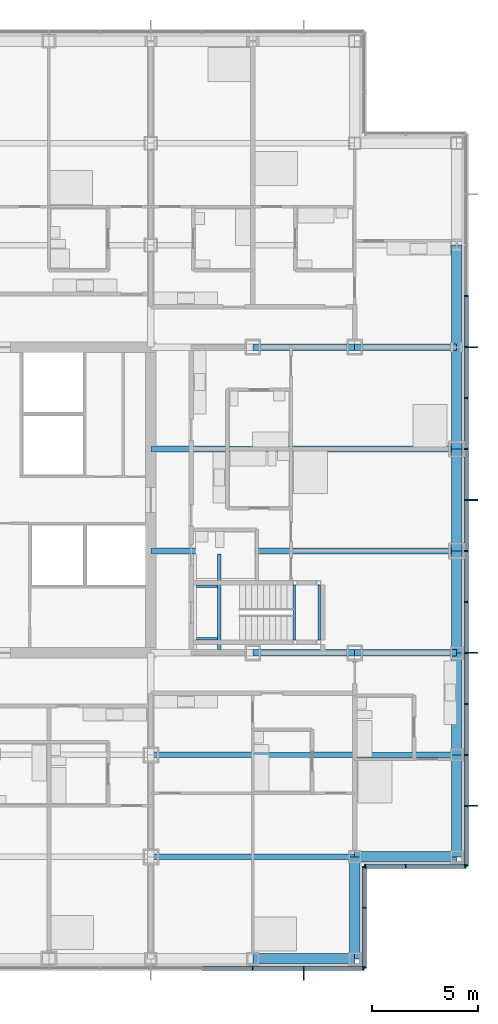
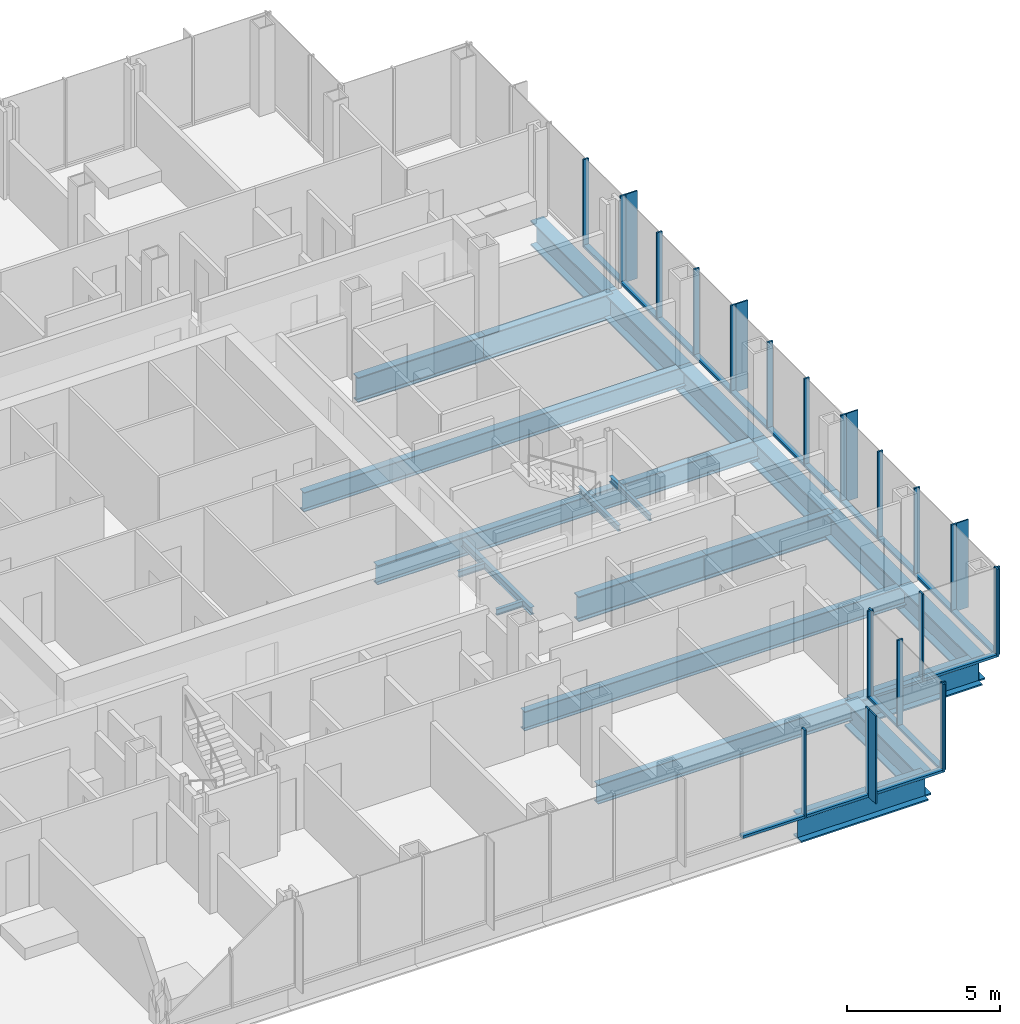
# One storey, part 9 of 21: 44 members, 22 beams, 4 elements without a shape of their own.
"""IFC4 building model written with IfcOpenShell, lengths in metres."""

from ifc_helpers import new_model, si_unit, direction, frame, origin, origin_2d, place, context, subcontext, project, spatial, rectangle, i_section, extrude, material, material_profile, profile_set, type_object, element, aggregate, save


model = new_model("IFC4")

# Units and contexts
model_context = context("Model", 3, precision=1e-05, world=origin(), true_north=direction((0.0, 1.0)))
body_context = subcontext(model_context, "Body", "Model", "MODEL_VIEW")
ifc_project = project(units=[si_unit("LENGTHUNIT", "METRE"), si_unit("AREAUNIT", "SQUARE_METRE"), si_unit("VOLUMEUNIT", "CUBIC_METRE"), si_unit("PLANEANGLEUNIT", "RADIAN"), si_unit("MASSUNIT", "GRAM", prefix="KILO")], contexts=[model_context])

# Site, building, storey
site_placement = place(None, origin())
site = spatial("IfcSite", under=ifc_project, at=site_placement, CompositionType="ELEMENT")
building_placement = place(site_placement, origin())
building = spatial("IfcBuilding", under=site, at=building_placement, Name="Kvirike Care Tower", CompositionType="ELEMENT")
storey_placement = place(building_placement, frame((0.0, 0.0, 37.5)))
storey = spatial("IfcBuildingStorey", under=building, at=storey_placement, Name="L09", CompositionType="ELEMENT", Elevation=37.5)

# Curtain wall, member
ifc_material_1 = material(Name="Anodised aluminium stick system", Category="aluminium")
curtain_wall_type = type_object("IfcCurtainWallType", Name="CW-A STICK CURTAIN WALL", PredefinedType="NOTDEFINED", material=ifc_material_1)
curtain_wall_1_placement = place(storey_placement, origin())
curtain_wall_1 = element("IfcCurtainWall", 1, at=curtain_wall_1_placement, inside=storey, type_object=curtain_wall_type, Name="Curtain wall L09 face 4", PredefinedType="NOTDEFINED")
ifc_material_2 = material(Name="Bronze anodised aluminium fin", Category="aluminium")
ifc_material_profile_1 = material_profile(ifc_material_2, rectangle(XDim=0.050048828125, YDim=0.449951171875, at=origin_2d()), Name="BRONZE FIN 450")
ifc_profile_set_1 = profile_set([ifc_material_profile_1], Name="Bronze anodised aluminium fin")
member_type_1 = type_object("IfcMemberType", Name="BRONZE FIN 450", PredefinedType="USERDEFINED", material=ifc_profile_set_1)
member_1_placement = place(storey_placement, frame((36.0, 13.625, 0.0), z_axis=(0.0, 0.0, 1.0), x_axis=(1.0, 0.0, 0.0)))
member_1 = element("IfcMember", 2, at=member_1_placement, type_object=member_type_1, Name="Bronze fin L09 face 4.14", ObjectType="FIN", PredefinedType="USERDEFINED", context=body_context, shape_type="SweptSolid", body=[
    extrude(rectangle(XDim=0.050048828125, YDim=0.449951171875, at=origin_2d()), origin(), (0.0, 0.0, 1.0), 3.5),
])

# Curtain wall, members
curtain_wall_2_placement = place(storey_placement, origin())
curtain_wall_2 = element("IfcCurtainWall", 3, at=curtain_wall_2_placement, inside=storey, type_object=curtain_wall_type, Name="Curtain wall L09 face 7", PredefinedType="NOTDEFINED")
member_2_placement = place(storey_placement, frame((43.97509765625, 21.60009765625, 0.0), z_axis=(0.0, 0.0, 1.0), x_axis=(0.0, 1.0, 0.0)))
member_2 = element("IfcMember", 4, at=member_2_placement, type_object=member_type_1, Name="Bronze fin L09 face 7.2", ObjectType="FIN", PredefinedType="USERDEFINED", context=body_context, shape_type="SweptSolid", body=[
    extrude(rectangle(XDim=0.050048828125, YDim=0.449951171875, at=origin_2d()), origin(), (0.0, 0.0, 1.0), 3.5),
])
member_3_placement = place(storey_placement, frame((43.97509765625, 28.800048828125, 0.0), z_axis=(0.0, 0.0, 1.0), x_axis=(0.0, 1.0, 0.0)))
member_3 = element("IfcMember", 5, at=member_3_placement, type_object=member_type_1, Name="Bronze fin L09 face 7.5", ObjectType="FIN", PredefinedType="USERDEFINED", context=body_context, shape_type="SweptSolid", body=[
    extrude(rectangle(XDim=0.050048828125, YDim=0.449951171875, at=origin_2d()), origin(), (0.0, 0.0, 1.0), 3.5),
])
member_4_placement = place(storey_placement, frame((43.97509765625, 36.0, 0.0), z_axis=(0.0, 0.0, 1.0), x_axis=(0.0, 1.0, 0.0)))
member_4 = element("IfcMember", 6, at=member_4_placement, type_object=member_type_1, Name="Bronze fin L09 face 7.8", ObjectType="FIN", PredefinedType="USERDEFINED", context=body_context, shape_type="SweptSolid", body=[
    extrude(rectangle(XDim=0.050048828125, YDim=0.449951171875, at=origin_2d()), origin(), (0.0, 0.0, 1.0), 3.5),
])
member_5_placement = place(storey_placement, frame((43.97509765625, 43.199951171875, 0.0), z_axis=(0.0, 0.0, 1.0), x_axis=(0.0, 1.0, 0.0)))
member_5 = element("IfcMember", 7, at=member_5_placement, type_object=member_type_1, Name="Bronze fin L09 face 7.11", ObjectType="FIN", PredefinedType="USERDEFINED", context=body_context, shape_type="SweptSolid", body=[
    extrude(rectangle(XDim=0.050048828125, YDim=0.449951171875, at=origin_2d()), origin(), (0.0, 0.0, 1.0), 3.5),
])

# Member
ifc_material_3 = material(Name="Bronze anodised aluminium mullion", Category="aluminium")
ifc_material_profile_2 = material_profile(ifc_material_3, rectangle(XDim=0.06494140625, YDim=0.199951171875, at=origin_2d()), Name="CW-A MULLION 65x200")
ifc_profile_set_2 = profile_set([ifc_material_profile_2], Name="Bronze anodised aluminium mullion")
member_type_2 = type_object("IfcMemberType", Name="CW-A MULLION 65x200", PredefinedType="MULLION", material=ifc_profile_set_2)
member_6_placement = place(storey_placement, frame((33.60009765625, 13.949951171875, 0.0), z_axis=(0.0, 0.0, 1.0), x_axis=(1.0, 0.0, 0.0)))
member_6 = element("IfcMember", 8, at=member_6_placement, type_object=member_type_2, Name="CW-A mullion L09 face 4.13", PredefinedType="MULLION", context=body_context, shape_type="SweptSolid", body=[
    extrude(rectangle(XDim=0.06494140625, YDim=0.199951171875, at=origin_2d()), origin(), (0.0, 0.0, 1.0), 3.5),
])

member_7_placement = place(storey_placement, frame((36.0, 13.949951171875, 0.0), z_axis=(0.0, 0.0, 1.0), x_axis=(1.0, 0.0, 0.0)))
member_7 = element("IfcMember", 9, at=member_7_placement, type_object=member_type_2, Name="CW-A mullion L09 face 4.14", PredefinedType="MULLION", context=body_context, shape_type="SweptSolid", body=[
    extrude(rectangle(XDim=0.06494140625, YDim=0.199951171875, at=origin_2d()), origin(), (0.0, 0.0, 1.0), 3.5),
])

member_8_placement = place(storey_placement, frame((38.8173828125, 13.949951171875, 0.0), z_axis=(0.0, 0.0, 1.0), x_axis=(1.0, 0.0, 0.0)))
member_8 = element("IfcMember", 10, at=member_8_placement, type_object=member_type_2, Name="CW-A mullion L09 face 4.15", PredefinedType="MULLION", context=body_context, shape_type="SweptSolid", body=[
    extrude(rectangle(XDim=0.06494140625, YDim=0.199951171875, at=origin_2d()), origin(), (0.0, 0.0, 1.0), 3.5),
])

# Curtain wall, members
curtain_wall_3_placement = place(storey_placement, origin())
curtain_wall_3 = element("IfcCurtainWall", 11, at=curtain_wall_3_placement, inside=storey, type_object=curtain_wall_type, Name="Curtain wall L09 face 5", PredefinedType="NOTDEFINED")
member_9_placement = place(storey_placement, frame((38.85009765625, 13.982421875, 0.0), z_axis=(0.0, 0.0, 1.0), x_axis=(0.0, 1.0, 0.0)))
member_9 = element("IfcMember", 12, at=member_9_placement, type_object=member_type_2, Name="CW-A mullion L09 face 5.1", PredefinedType="MULLION", context=body_context, shape_type="SweptSolid", body=[
    extrude(rectangle(XDim=0.06494140625, YDim=0.199951171875, at=origin_2d()), origin(), (0.0, 0.0, 1.0), 3.5),
])
member_10_placement = place(storey_placement, frame((38.85009765625, 16.800048828125, 0.0), z_axis=(0.0, 0.0, 1.0), x_axis=(0.0, 1.0, 0.0)))
member_10 = element("IfcMember", 13, at=member_10_placement, type_object=member_type_2, Name="CW-A mullion L09 face 5.2", PredefinedType="MULLION", context=body_context, shape_type="SweptSolid", body=[
    extrude(rectangle(XDim=0.06494140625, YDim=0.199951171875, at=origin_2d()), origin(), (0.0, 0.0, 1.0), 3.5),
])
member_11_placement = place(storey_placement, frame((38.85009765625, 18.717529296875, 0.0), z_axis=(0.0, 0.0, 1.0), x_axis=(0.0, 1.0, 0.0)))
member_11 = element("IfcMember", 14, at=member_11_placement, type_object=member_type_2, Name="CW-A mullion L09 face 5.3", PredefinedType="MULLION", context=body_context, shape_type="SweptSolid", body=[
    extrude(rectangle(XDim=0.06494140625, YDim=0.199951171875, at=origin_2d()), origin(), (0.0, 0.0, 1.0), 3.5),
])

curtain_wall_4_placement = place(storey_placement, origin())
curtain_wall_4 = element("IfcCurtainWall", 15, at=curtain_wall_4_placement, inside=storey, type_object=curtain_wall_type, Name="Curtain wall L09 face 6", PredefinedType="NOTDEFINED")
member_12_placement = place(storey_placement, frame((38.882568359375, 18.75, 0.0), z_axis=(0.0, 0.0, 1.0), x_axis=(1.0, 0.0, 0.0)))
member_12 = element("IfcMember", 16, at=member_12_placement, type_object=member_type_2, Name="CW-A mullion L09 face 6.1", PredefinedType="MULLION", context=body_context, shape_type="SweptSolid", body=[
    extrude(rectangle(XDim=0.06494140625, YDim=0.199951171875, at=origin_2d()), origin(), (0.0, 0.0, 1.0), 3.5),
])
member_13_placement = place(storey_placement, frame((40.800048828125, 18.75, 0.0), z_axis=(0.0, 0.0, 1.0), x_axis=(1.0, 0.0, 0.0)))
member_13 = element("IfcMember", 17, at=member_13_placement, type_object=member_type_2, Name="CW-A mullion L09 face 6.2", PredefinedType="MULLION", context=body_context, shape_type="SweptSolid", body=[
    extrude(rectangle(XDim=0.06494140625, YDim=0.199951171875, at=origin_2d()), origin(), (0.0, 0.0, 1.0), 3.5),
])
member_14_placement = place(storey_placement, frame((43.617431640625, 18.75, 0.0), z_axis=(0.0, 0.0, 1.0), x_axis=(1.0, 0.0, 0.0)))
member_14 = element("IfcMember", 18, at=member_14_placement, type_object=member_type_2, Name="CW-A mullion L09 face 6.3", PredefinedType="MULLION", context=body_context, shape_type="SweptSolid", body=[
    extrude(rectangle(XDim=0.06494140625, YDim=0.199951171875, at=origin_2d()), origin(), (0.0, 0.0, 1.0), 3.5),
])

# Member
member_15_placement = place(storey_placement, frame((43.64990234375, 18.782470703125, 0.0), z_axis=(0.0, 0.0, 1.0), x_axis=(0.0, 1.0, 0.0)))
member_15 = element("IfcMember", 19, at=member_15_placement, type_object=member_type_2, Name="CW-A mullion L09 face 7.1", PredefinedType="MULLION", context=body_context, shape_type="SweptSolid", body=[
    extrude(rectangle(XDim=0.06494140625, YDim=0.199951171875, at=origin_2d()), origin(), (0.0, 0.0, 1.0), 3.5),
])

member_16_placement = place(storey_placement, frame((43.64990234375, 21.60009765625, 0.0), z_axis=(0.0, 0.0, 1.0), x_axis=(0.0, 1.0, 0.0)))
member_16 = element("IfcMember", 20, at=member_16_placement, type_object=member_type_2, Name="CW-A mullion L09 face 7.2", PredefinedType="MULLION", context=body_context, shape_type="SweptSolid", body=[
    extrude(rectangle(XDim=0.06494140625, YDim=0.199951171875, at=origin_2d()), origin(), (0.0, 0.0, 1.0), 3.5),
])

member_17_placement = place(storey_placement, frame((43.64990234375, 24.0, 0.0), z_axis=(0.0, 0.0, 1.0), x_axis=(0.0, 1.0, 0.0)))
member_17 = element("IfcMember", 21, at=member_17_placement, type_object=member_type_2, Name="CW-A mullion L09 face 7.3", PredefinedType="MULLION", context=body_context, shape_type="SweptSolid", body=[
    extrude(rectangle(XDim=0.06494140625, YDim=0.199951171875, at=origin_2d()), origin(), (0.0, 0.0, 1.0), 3.5),
])

member_18_placement = place(storey_placement, frame((43.64990234375, 26.39990234375, 0.0), z_axis=(0.0, 0.0, 1.0), x_axis=(0.0, 1.0, 0.0)))
member_18 = element("IfcMember", 22, at=member_18_placement, type_object=member_type_2, Name="CW-A mullion L09 face 7.4", PredefinedType="MULLION", context=body_context, shape_type="SweptSolid", body=[
    extrude(rectangle(XDim=0.06494140625, YDim=0.199951171875, at=origin_2d()), origin(), (0.0, 0.0, 1.0), 3.5),
])

member_19_placement = place(storey_placement, frame((43.64990234375, 28.800048828125, 0.0), z_axis=(0.0, 0.0, 1.0), x_axis=(0.0, 1.0, 0.0)))
member_19 = element("IfcMember", 23, at=member_19_placement, type_object=member_type_2, Name="CW-A mullion L09 face 7.5", PredefinedType="MULLION", context=body_context, shape_type="SweptSolid", body=[
    extrude(rectangle(XDim=0.06494140625, YDim=0.199951171875, at=origin_2d()), origin(), (0.0, 0.0, 1.0), 3.5),
])

member_20_placement = place(storey_placement, frame((43.64990234375, 31.199951171875, 0.0), z_axis=(0.0, 0.0, 1.0), x_axis=(0.0, 1.0, 0.0)))
member_20 = element("IfcMember", 24, at=member_20_placement, type_object=member_type_2, Name="CW-A mullion L09 face 7.6", PredefinedType="MULLION", context=body_context, shape_type="SweptSolid", body=[
    extrude(rectangle(XDim=0.06494140625, YDim=0.199951171875, at=origin_2d()), origin(), (0.0, 0.0, 1.0), 3.5),
])

member_21_placement = place(storey_placement, frame((43.64990234375, 33.60009765625, 0.0), z_axis=(0.0, 0.0, 1.0), x_axis=(0.0, 1.0, 0.0)))
member_21 = element("IfcMember", 25, at=member_21_placement, type_object=member_type_2, Name="CW-A mullion L09 face 7.7", PredefinedType="MULLION", context=body_context, shape_type="SweptSolid", body=[
    extrude(rectangle(XDim=0.06494140625, YDim=0.199951171875, at=origin_2d()), origin(), (0.0, 0.0, 1.0), 3.5),
])

member_22_placement = place(storey_placement, frame((43.64990234375, 36.0, 0.0), z_axis=(0.0, 0.0, 1.0), x_axis=(0.0, 1.0, 0.0)))
member_22 = element("IfcMember", 26, at=member_22_placement, type_object=member_type_2, Name="CW-A mullion L09 face 7.8", PredefinedType="MULLION", context=body_context, shape_type="SweptSolid", body=[
    extrude(rectangle(XDim=0.06494140625, YDim=0.199951171875, at=origin_2d()), origin(), (0.0, 0.0, 1.0), 3.5),
])

member_23_placement = place(storey_placement, frame((43.64990234375, 38.39990234375, 0.0), z_axis=(0.0, 0.0, 1.0), x_axis=(0.0, 1.0, 0.0)))
member_23 = element("IfcMember", 27, at=member_23_placement, type_object=member_type_2, Name="CW-A mullion L09 face 7.9", PredefinedType="MULLION", context=body_context, shape_type="SweptSolid", body=[
    extrude(rectangle(XDim=0.06494140625, YDim=0.199951171875, at=origin_2d()), origin(), (0.0, 0.0, 1.0), 3.5),
])

member_24_placement = place(storey_placement, frame((43.64990234375, 40.800048828125, 0.0), z_axis=(0.0, 0.0, 1.0), x_axis=(0.0, 1.0, 0.0)))
member_24 = element("IfcMember", 28, at=member_24_placement, type_object=member_type_2, Name="CW-A mullion L09 face 7.10", PredefinedType="MULLION", context=body_context, shape_type="SweptSolid", body=[
    extrude(rectangle(XDim=0.06494140625, YDim=0.199951171875, at=origin_2d()), origin(), (0.0, 0.0, 1.0), 3.5),
])

member_25_placement = place(storey_placement, frame((43.64990234375, 43.199951171875, 0.0), z_axis=(0.0, 0.0, 1.0), x_axis=(0.0, 1.0, 0.0)))
member_25 = element("IfcMember", 29, at=member_25_placement, type_object=member_type_2, Name="CW-A mullion L09 face 7.11", PredefinedType="MULLION", context=body_context, shape_type="SweptSolid", body=[
    extrude(rectangle(XDim=0.06494140625, YDim=0.199951171875, at=origin_2d()), origin(), (0.0, 0.0, 1.0), 3.5),
])

member_26_placement = place(storey_placement, frame((43.64990234375, 45.60009765625, 0.0), z_axis=(0.0, 0.0, 1.0), x_axis=(0.0, 1.0, 0.0)))
member_26 = element("IfcMember", 30, at=member_26_placement, type_object=member_type_2, Name="CW-A mullion L09 face 7.12", PredefinedType="MULLION", context=body_context, shape_type="SweptSolid", body=[
    extrude(rectangle(XDim=0.06494140625, YDim=0.199951171875, at=origin_2d()), origin(), (0.0, 0.0, 1.0), 3.5),
])

ifc_material_4 = material(Name="Bronze anodised aluminium transom", Category="aluminium")
ifc_material_profile_3 = material_profile(ifc_material_4, rectangle(XDim=0.199951171875, YDim=0.10009765625, at=origin_2d()), Name="CW-A TRANSOM 200x100")
ifc_profile_set_3 = profile_set([ifc_material_profile_3], Name="Bronze anodised aluminium transom")
member_type_3 = type_object("IfcMemberType", Name="CW-A TRANSOM 200x100", PredefinedType="USERDEFINED", material=ifc_profile_set_3)
member_27_placement = place(storey_placement, frame((31.232421875, 13.949951171875, 0.050048828125), z_axis=(1.0, 0.0, 0.0), x_axis=(0.0, 1.0, 0.0)))
member_27 = element("IfcMember", 31, at=member_27_placement, type_object=member_type_3, Name="CW-A sill transom L09 face 4.12", ObjectType="TRANSOM", PredefinedType="USERDEFINED", context=body_context, shape_type="SweptSolid", body=[
    extrude(rectangle(XDim=0.199951171875, YDim=0.10009765625, at=origin_2d()), origin(), (0.0, 0.0, 1.0), 2.3349609375),
])

member_28_placement = place(storey_placement, frame((33.632568359375, 13.949951171875, 0.050048828125), z_axis=(1.0, 0.0, 0.0), x_axis=(0.0, 1.0, 0.0)))
member_28 = element("IfcMember", 32, at=member_28_placement, type_object=member_type_3, Name="CW-A sill transom L09 face 4.13", ObjectType="TRANSOM", PredefinedType="USERDEFINED", context=body_context, shape_type="SweptSolid", body=[
    extrude(rectangle(XDim=0.199951171875, YDim=0.10009765625, at=origin_2d()), origin(), (0.0, 0.0, 1.0), 2.3349609375),
])

member_29_placement = place(storey_placement, frame((36.032470703125, 13.949951171875, 0.050048828125), z_axis=(1.0, 0.0, 0.0), x_axis=(0.0, 1.0, 0.0)))
member_29 = element("IfcMember", 33, at=member_29_placement, type_object=member_type_3, Name="CW-A sill transom L09 face 4.14", ObjectType="TRANSOM", PredefinedType="USERDEFINED", context=body_context, shape_type="SweptSolid", body=[
    extrude(rectangle(XDim=0.199951171875, YDim=0.10009765625, at=origin_2d()), origin(), (0.0, 0.0, 1.0), 2.75244140625),
])

aggregate(curtain_wall_1, [member_6, member_7, member_1, member_8, member_27, member_28, member_29])

member_30_placement = place(storey_placement, frame((38.85009765625, 14.014892578125, 0.050048828125), z_axis=(0.0, 1.0, 0.0), x_axis=(-1.0, 0.0, 0.0)))
member_30 = element("IfcMember", 34, at=member_30_placement, type_object=member_type_3, Name="CW-A sill transom L09 face 5.1", ObjectType="TRANSOM", PredefinedType="USERDEFINED", context=body_context, shape_type="SweptSolid", body=[
    extrude(rectangle(XDim=0.199951171875, YDim=0.10009765625, at=origin_2d()), origin(), (0.0, 0.0, 1.0), 2.752685546875),
])

member_31_placement = place(storey_placement, frame((38.85009765625, 16.83251953125, 0.050048828125), z_axis=(0.0, 1.0, 0.0), x_axis=(-1.0, 0.0, 0.0)))
member_31 = element("IfcMember", 35, at=member_31_placement, type_object=member_type_3, Name="CW-A sill transom L09 face 5.2", ObjectType="TRANSOM", PredefinedType="USERDEFINED", context=body_context, shape_type="SweptSolid", body=[
    extrude(rectangle(XDim=0.199951171875, YDim=0.10009765625, at=origin_2d()), origin(), (0.0, 0.0, 1.0), 1.8525390625),
])

aggregate(curtain_wall_3, [member_9, member_10, member_11, member_30, member_31])

member_32_placement = place(storey_placement, frame((38.9150390625, 18.75, 0.050048828125), z_axis=(1.0, 0.0, 0.0), x_axis=(0.0, 1.0, 0.0)))
member_32 = element("IfcMember", 36, at=member_32_placement, type_object=member_type_3, Name="CW-A sill transom L09 face 6.1", ObjectType="TRANSOM", PredefinedType="USERDEFINED", context=body_context, shape_type="SweptSolid", body=[
    extrude(rectangle(XDim=0.199951171875, YDim=0.10009765625, at=origin_2d()), origin(), (0.0, 0.0, 1.0), 1.8525390625),
])

member_33_placement = place(storey_placement, frame((40.83251953125, 18.75, 0.050048828125), z_axis=(1.0, 0.0, 0.0), x_axis=(0.0, 1.0, 0.0)))
member_33 = element("IfcMember", 37, at=member_33_placement, type_object=member_type_3, Name="CW-A sill transom L09 face 6.2", ObjectType="TRANSOM", PredefinedType="USERDEFINED", context=body_context, shape_type="SweptSolid", body=[
    extrude(rectangle(XDim=0.199951171875, YDim=0.10009765625, at=origin_2d()), origin(), (0.0, 0.0, 1.0), 2.75244140625),
])

aggregate(curtain_wall_4, [member_12, member_13, member_14, member_32, member_33])

member_34_placement = place(storey_placement, frame((43.64990234375, 18.81494140625, 0.050048828125), z_axis=(0.0, 1.0, 0.0), x_axis=(-1.0, 0.0, 0.0)))
member_34 = element("IfcMember", 38, at=member_34_placement, type_object=member_type_3, Name="CW-A sill transom L09 face 7.1", ObjectType="TRANSOM", PredefinedType="USERDEFINED", context=body_context, shape_type="SweptSolid", body=[
    extrude(rectangle(XDim=0.199951171875, YDim=0.10009765625, at=origin_2d()), origin(), (0.0, 0.0, 1.0), 2.75244140625),
])

member_35_placement = place(storey_placement, frame((43.64990234375, 21.632568359375, 0.050048828125), z_axis=(0.0, 1.0, 0.0), x_axis=(-1.0, 0.0, 0.0)))
member_35 = element("IfcMember", 39, at=member_35_placement, type_object=member_type_3, Name="CW-A sill transom L09 face 7.2", ObjectType="TRANSOM", PredefinedType="USERDEFINED", context=body_context, shape_type="SweptSolid", body=[
    extrude(rectangle(XDim=0.199951171875, YDim=0.10009765625, at=origin_2d()), origin(), (0.0, 0.0, 1.0), 2.3349609375),
])

member_36_placement = place(storey_placement, frame((43.64990234375, 24.032470703125, 0.050048828125), z_axis=(0.0, 1.0, 0.0), x_axis=(-1.0, 0.0, 0.0)))
member_36 = element("IfcMember", 40, at=member_36_placement, type_object=member_type_3, Name="CW-A sill transom L09 face 7.3", ObjectType="TRANSOM", PredefinedType="USERDEFINED", context=body_context, shape_type="SweptSolid", body=[
    extrude(rectangle(XDim=0.199951171875, YDim=0.10009765625, at=origin_2d()), origin(), (0.0, 0.0, 1.0), 2.3349609375),
])

member_37_placement = place(storey_placement, frame((43.64990234375, 26.4326171875, 0.050048828125), z_axis=(0.0, 1.0, 0.0), x_axis=(-1.0, 0.0, 0.0)))
member_37 = element("IfcMember", 41, at=member_37_placement, type_object=member_type_3, Name="CW-A sill transom L09 face 7.4", ObjectType="TRANSOM", PredefinedType="USERDEFINED", context=body_context, shape_type="SweptSolid", body=[
    extrude(rectangle(XDim=0.199951171875, YDim=0.10009765625, at=origin_2d()), origin(), (0.0, 0.0, 1.0), 2.3349609375),
])

member_38_placement = place(storey_placement, frame((43.64990234375, 28.83251953125, 0.050048828125), z_axis=(0.0, 1.0, 0.0), x_axis=(-1.0, 0.0, 0.0)))
member_38 = element("IfcMember", 42, at=member_38_placement, type_object=member_type_3, Name="CW-A sill transom L09 face 7.5", ObjectType="TRANSOM", PredefinedType="USERDEFINED", context=body_context, shape_type="SweptSolid", body=[
    extrude(rectangle(XDim=0.199951171875, YDim=0.10009765625, at=origin_2d()), origin(), (0.0, 0.0, 1.0), 2.3349609375),
])

member_39_placement = place(storey_placement, frame((43.64990234375, 31.232421875, 0.050048828125), z_axis=(0.0, 1.0, 0.0), x_axis=(-1.0, 0.0, 0.0)))
member_39 = element("IfcMember", 43, at=member_39_placement, type_object=member_type_3, Name="CW-A sill transom L09 face 7.6", ObjectType="TRANSOM", PredefinedType="USERDEFINED", context=body_context, shape_type="SweptSolid", body=[
    extrude(rectangle(XDim=0.199951171875, YDim=0.10009765625, at=origin_2d()), origin(), (0.0, 0.0, 1.0), 2.3349609375),
])

member_40_placement = place(storey_placement, frame((43.64990234375, 33.632568359375, 0.050048828125), z_axis=(0.0, 1.0, 0.0), x_axis=(-1.0, 0.0, 0.0)))
member_40 = element("IfcMember", 44, at=member_40_placement, type_object=member_type_3, Name="CW-A sill transom L09 face 7.7", ObjectType="TRANSOM", PredefinedType="USERDEFINED", context=body_context, shape_type="SweptSolid", body=[
    extrude(rectangle(XDim=0.199951171875, YDim=0.10009765625, at=origin_2d()), origin(), (0.0, 0.0, 1.0), 2.3349609375),
])

member_41_placement = place(storey_placement, frame((43.64990234375, 36.032470703125, 0.050048828125), z_axis=(0.0, 1.0, 0.0), x_axis=(-1.0, 0.0, 0.0)))
member_41 = element("IfcMember", 45, at=member_41_placement, type_object=member_type_3, Name="CW-A sill transom L09 face 7.8", ObjectType="TRANSOM", PredefinedType="USERDEFINED", context=body_context, shape_type="SweptSolid", body=[
    extrude(rectangle(XDim=0.199951171875, YDim=0.10009765625, at=origin_2d()), origin(), (0.0, 0.0, 1.0), 2.3349609375),
])

member_42_placement = place(storey_placement, frame((43.64990234375, 38.4326171875, 0.050048828125), z_axis=(0.0, 1.0, 0.0), x_axis=(-1.0, 0.0, 0.0)))
member_42 = element("IfcMember", 46, at=member_42_placement, type_object=member_type_3, Name="CW-A sill transom L09 face 7.9", ObjectType="TRANSOM", PredefinedType="USERDEFINED", context=body_context, shape_type="SweptSolid", body=[
    extrude(rectangle(XDim=0.199951171875, YDim=0.10009765625, at=origin_2d()), origin(), (0.0, 0.0, 1.0), 2.3349609375),
])

member_43_placement = place(storey_placement, frame((43.64990234375, 40.83251953125, 0.050048828125), z_axis=(0.0, 1.0, 0.0), x_axis=(-1.0, 0.0, 0.0)))
member_43 = element("IfcMember", 47, at=member_43_placement, type_object=member_type_3, Name="CW-A sill transom L09 face 7.10", ObjectType="TRANSOM", PredefinedType="USERDEFINED", context=body_context, shape_type="SweptSolid", body=[
    extrude(rectangle(XDim=0.199951171875, YDim=0.10009765625, at=origin_2d()), origin(), (0.0, 0.0, 1.0), 2.3349609375),
])

member_44_placement = place(storey_placement, frame((43.64990234375, 43.232421875, 0.050048828125), z_axis=(0.0, 1.0, 0.0), x_axis=(-1.0, 0.0, 0.0)))
member_44 = element("IfcMember", 48, at=member_44_placement, type_object=member_type_3, Name="CW-A sill transom L09 face 7.11", ObjectType="TRANSOM", PredefinedType="USERDEFINED", context=body_context, shape_type="SweptSolid", body=[
    extrude(rectangle(XDim=0.199951171875, YDim=0.10009765625, at=origin_2d()), origin(), (0.0, 0.0, 1.0), 2.3349609375),
])

aggregate(curtain_wall_2, [member_15, member_16, member_2, member_17, member_18, member_19, member_3, member_20, member_21, member_22, member_4, member_23, member_24, member_25, member_5, member_26, member_34, member_35, member_36, member_37, member_38, member_39, member_40, member_41, member_42, member_43, member_44])

# Beams
ifc_material_5 = material(Name="Steel S355", Category="steel")
ifc_material_profile_4 = material_profile(ifc_material_5, i_section(OverallWidth=0.26806640625, OverallDepth=0.77001953125, WebThickness=0.015625, FlangeThickness=0.025390625, FilletRadius=0.01708984375, at=origin_2d()), Name="IPE 750x196")
ifc_profile_set_4 = profile_set([ifc_material_profile_4], Name="Steel S355")
beam_type_1 = type_object("IfcBeamType", Name="FLOOR BEAM IPE 750x196", PredefinedType="BEAM", material=ifc_profile_set_4)
beam_1_placement = place(storey_placement, frame((28.800048828125, 19.199951171875, -0.554931640625), z_axis=(1.0, 0.0, 0.0), x_axis=(0.0, 1.0, 0.0)))
element("IfcBeam", 49, at=beam_1_placement, inside=storey, type_object=beam_type_1, Name="Floor Beam E9-E11 L09", PredefinedType="BEAM", context=body_context, shape_type="SweptSolid", body=[
    extrude(i_section(OverallWidth=0.26806640625, OverallDepth=0.77001953125, WebThickness=0.015625, FlangeThickness=0.025390625, FilletRadius=0.01708984375, at=origin_2d()), origin(), (0.0, 0.0, 1.0), 9.599853515625),
])
for number, where, z_axis, x_axis, name in (
    (50, (28.800048828125, 24.0, -0.554931640625), (1.0, 0.0, 0.0), (0.0, 1.0, 0.0), "Floor Beam F9-F12 L09"),
    (51, (28.800048828125, 33.60009765625, -0.554931640625), (1.0, 0.0, 0.0), (0.0, 1.0, 0.0), "Floor Beam H9-H12 L09"),
    (52, (28.800048828125, 38.39990234375, -0.554931640625), (1.0, 0.0, 0.0), (0.0, 1.0, 0.0), "Floor Beam J9-J12 L09"),
):
    element("IfcBeam", number, at=place(storey_placement, frame(where, z_axis=z_axis, x_axis=x_axis)), inside=storey, type_object=beam_type_1, Name=name, PredefinedType="BEAM", context=body_context, shape_type="SweptSolid", body=[
        extrude(i_section(OverallWidth=0.26806640625, OverallDepth=0.77001953125, WebThickness=0.015625, FlangeThickness=0.025390625, FilletRadius=0.01708984375, at=origin_2d()), origin(), (0.0, 0.0, 1.0), 14.39990234375),
    ])
ifc_material_6 = material(Name="Steel S355", Category="steel")
ifc_material_profile_5 = material_profile(ifc_material_6, i_section(OverallWidth=0.300048828125, OverallDepth=1.0, WebThickness=0.01904296875, FlangeThickness=0.035888671875, FilletRadius=0.030029296875, at=origin_2d()), Name="HE 1000 B")
ifc_profile_set_5 = profile_set([ifc_material_profile_5], Name="Steel S355")
beam_type_2 = type_object("IfcBeamType", Name="FRAME BEAM HE 1000 B", PredefinedType="BEAM", material=ifc_profile_set_5)
beam_2_placement = place(storey_placement, frame((33.60009765625, 28.800048828125, -0.669921875), z_axis=(1.0, 0.0, 0.0), x_axis=(0.0, 1.0, 0.0)))
element("IfcBeam", 53, at=beam_2_placement, inside=storey, type_object=beam_type_2, Name="Frame Beam G10-G11 L09", PredefinedType="BEAM", context=body_context, shape_type="SweptSolid", body=[
    extrude(i_section(OverallWidth=0.300048828125, OverallDepth=1.0, WebThickness=0.01904296875, FlangeThickness=0.035888671875, FilletRadius=0.030029296875, at=origin_2d()), origin(), (0.0, 0.0, 1.0), 4.7998046875),
])
beam_3_placement = place(storey_placement, frame((38.39990234375, 28.800048828125, -0.669921875), z_axis=(1.0, 0.0, 0.0), x_axis=(0.0, 1.0, 0.0)))
element("IfcBeam", 54, at=beam_3_placement, inside=storey, type_object=beam_type_2, Name="Frame Beam G11-G12 L09", PredefinedType="BEAM", context=body_context, shape_type="SweptSolid", body=[
    extrude(i_section(OverallWidth=0.300048828125, OverallDepth=1.0, WebThickness=0.01904296875, FlangeThickness=0.035888671875, FilletRadius=0.030029296875, at=origin_2d()), origin(), (0.0, 0.0, 1.0), 4.800048828125),
])
beam_4_placement = place(storey_placement, frame((33.60009765625, 43.199951171875, -0.669921875), z_axis=(1.0, 0.0, 0.0), x_axis=(0.0, 1.0, 0.0)))
element("IfcBeam", 55, at=beam_4_placement, inside=storey, type_object=beam_type_2, Name="Frame Beam K10-K11 L09", PredefinedType="BEAM", context=body_context, shape_type="SweptSolid", body=[
    extrude(i_section(OverallWidth=0.300048828125, OverallDepth=1.0, WebThickness=0.01904296875, FlangeThickness=0.035888671875, FilletRadius=0.030029296875, at=origin_2d()), origin(), (0.0, 0.0, 1.0), 4.7998046875),
])
beam_5_placement = place(storey_placement, frame((38.39990234375, 43.199951171875, -0.669921875), z_axis=(1.0, 0.0, 0.0), x_axis=(0.0, 1.0, 0.0)))
element("IfcBeam", 56, at=beam_5_placement, inside=storey, type_object=beam_type_2, Name="Frame Beam K11-K12 L09", PredefinedType="BEAM", context=body_context, shape_type="SweptSolid", body=[
    extrude(i_section(OverallWidth=0.300048828125, OverallDepth=1.0, WebThickness=0.01904296875, FlangeThickness=0.035888671875, FilletRadius=0.030029296875, at=origin_2d()), origin(), (0.0, 0.0, 1.0), 4.800048828125),
])
ifc_material_7 = material(Name="Steel S355", Category="steel")
ifc_material_profile_6 = material_profile(ifc_material_7, i_section(OverallWidth=0.5, OverallDepth=1.0, WebThickness=0.030029296875, FlangeThickness=0.06005859375, at=origin_2d()), Name="PG 1000x500x30x60")
ifc_profile_set_6 = profile_set([ifc_material_profile_6], Name="Steel S355")
beam_type_3 = type_object("IfcBeamType", Name="SPANDREL PG 1000x500x30x60", PredefinedType="SPANDREL", material=ifc_profile_set_6)
beam_6_placement = place(storey_placement, frame((33.60009765625, 14.39990234375, -0.669921875), z_axis=(1.0, 0.0, 0.0), x_axis=(0.0, 1.0, 0.0)))
element("IfcBeam", 57, at=beam_6_placement, inside=storey, type_object=beam_type_3, Name="Spandrel D10-D11 L09", PredefinedType="SPANDREL", context=body_context, shape_type="SweptSolid", body=[
    extrude(i_section(OverallWidth=0.5, OverallDepth=1.0, WebThickness=0.030029296875, FlangeThickness=0.06005859375, at=origin_2d()), origin(), (0.0, 0.0, 1.0), 4.7998046875),
])
for number, where, z_axis, x_axis, name in (
    (58, (38.39990234375, 19.199951171875, -0.669921875), (1.0, 0.0, 0.0), (0.0, 1.0, 0.0), "Spandrel E11-E12 L09"),
    (59, (38.39990234375, 14.39990234375, -0.669921875), (0.0, 1.0, 0.0), (-1.0, 0.0, 0.0), "Spandrel D11-E11 L09"),
    (60, (43.199951171875, 19.199951171875, -0.669921875), (0.0, 1.0, 0.0), (-1.0, 0.0, 0.0), "Spandrel E12-F12 L09"),
    (61, (43.199951171875, 24.0, -0.669921875), (0.0, 1.0, 0.0), (-1.0, 0.0, 0.0), "Spandrel F12-G12 L09"),
    (62, (43.199951171875, 28.800048828125, -0.669921875), (0.0, 1.0, 0.0), (-1.0, 0.0, 0.0), "Spandrel G12-H12 L09"),
):
    element("IfcBeam", number, at=place(storey_placement, frame(where, z_axis=z_axis, x_axis=x_axis)), inside=storey, type_object=beam_type_3, Name=name, PredefinedType="SPANDREL", context=body_context, shape_type="SweptSolid", body=[
        extrude(i_section(OverallWidth=0.5, OverallDepth=1.0, WebThickness=0.030029296875, FlangeThickness=0.06005859375, at=origin_2d()), origin(), (0.0, 0.0, 1.0), 4.800048828125),
    ])
beam_7_placement = place(storey_placement, frame((43.199951171875, 33.60009765625, -0.669921875), z_axis=(0.0, 1.0, 0.0), x_axis=(-1.0, 0.0, 0.0)))
element("IfcBeam", 63, at=beam_7_placement, inside=storey, type_object=beam_type_3, Name="Spandrel H12-J12 L09", PredefinedType="SPANDREL", context=body_context, shape_type="SweptSolid", body=[
    extrude(i_section(OverallWidth=0.5, OverallDepth=1.0, WebThickness=0.030029296875, FlangeThickness=0.06005859375, at=origin_2d()), origin(), (0.0, 0.0, 1.0), 4.7998046875),
])
for number, where, z_axis, x_axis, name in (
    (64, (43.199951171875, 38.39990234375, -0.669921875), (0.0, 1.0, 0.0), (-1.0, 0.0, 0.0), "Spandrel J12-K12 L09"),
    (65, (43.199951171875, 43.199951171875, -0.669921875), (0.0, 1.0, 0.0), (-1.0, 0.0, 0.0), "Spandrel K12-L12 L09"),
):
    element("IfcBeam", number, at=place(storey_placement, frame(where, z_axis=z_axis, x_axis=x_axis)), inside=storey, type_object=beam_type_3, Name=name, PredefinedType="SPANDREL", context=body_context, shape_type="SweptSolid", body=[
        extrude(i_section(OverallWidth=0.5, OverallDepth=1.0, WebThickness=0.030029296875, FlangeThickness=0.06005859375, at=origin_2d()), origin(), (0.0, 0.0, 1.0), 4.800048828125),
    ])
ifc_material_8 = material(Name="Steel S355", Category="steel")
ifc_material_profile_7 = material_profile(ifc_material_8, i_section(OverallWidth=0.1201171875, OverallDepth=0.239990234375, WebThickness=0.006103515625, FlangeThickness=0.009765625, FilletRadius=0.014892578125, at=origin_2d()), Name="IPE 240")
ifc_profile_set_7 = profile_set([ifc_material_profile_7], Name="Steel S355")
beam_type_4 = type_object("IfcBeamType", Name="STAIR LANDING BEAM IPE 240", PredefinedType="BEAM", material=ifc_profile_set_7)
for number, where, z_axis, x_axis, name in (
    (66, (36.739990234375, 29.39990234375, 1.429931640625), (0.0, 1.0, 0.0), (-1.0, 0.0, 0.0), "Stair 2 landing beam back L09"),
    (67, (35.56005859375, 29.39990234375, 1.429931640625), (0.0, 1.0, 0.0), (-1.0, 0.0, 0.0), "Stair 2 landing beam front L09"),
):
    element("IfcBeam", number, at=place(storey_placement, frame(where, z_axis=z_axis, x_axis=x_axis)), inside=storey, type_object=beam_type_4, Name=name, PredefinedType="BEAM", context=body_context, shape_type="SweptSolid", body=[
        extrude(i_section(OverallWidth=0.1201171875, OverallDepth=0.239990234375, WebThickness=0.006103515625, FlangeThickness=0.009765625, FilletRadius=0.014892578125, at=origin_2d()), origin(), (0.0, 0.0, 1.0), 2.60009765625),
    ])
for number, where, z_axis, x_axis, name in (
    (68, (31.949951171875, 29.4599609375, -0.320068359375), (-1.0, 0.0, 0.0), (0.0, -1.0, 0.0), "Stair 2 landing edge beam 1 L09"),
    (69, (31.949951171875, 31.93994140625, -0.320068359375), (-1.0, 0.0, 0.0), (0.0, -1.0, 0.0), "Stair 2 landing edge beam 2 L09"),
):
    element("IfcBeam", number, at=place(storey_placement, frame(where, z_axis=z_axis, x_axis=x_axis)), inside=storey, type_object=beam_type_4, Name=name, PredefinedType="BEAM", context=body_context, shape_type="SweptSolid", body=[
        extrude(i_section(OverallWidth=0.1201171875, OverallDepth=0.239990234375, WebThickness=0.006103515625, FlangeThickness=0.009765625, FilletRadius=0.014892578125, at=origin_2d()), origin(), (0.0, 0.0, 1.0), 1.0),
    ])
ifc_material_9 = material(Name="Steel S355", Category="steel")
ifc_material_profile_8 = material_profile(ifc_material_9, i_section(OverallWidth=0.14990234375, OverallDepth=0.300048828125, WebThickness=0.007080078125, FlangeThickness=0.0107421875, FilletRadius=0.014892578125, at=origin_2d()), Name="IPE 300")
ifc_profile_set_8 = profile_set([ifc_material_profile_8], Name="Steel S355")
beam_type_5 = type_object("IfcBeamType", Name="STAIR TRIMMER IPE 300", PredefinedType="BEAM", material=ifc_profile_set_8)
beam_8_placement = place(storey_placement, frame((32.02490234375, 28.949951171875, -0.35009765625), z_axis=(0.0, 1.0, 0.0), x_axis=(-1.0, 0.0, 0.0)))
element("IfcBeam", 70, at=beam_8_placement, inside=storey, type_object=beam_type_5, Name="Stair 2 trimmer 1 L09", PredefinedType="BEAM", context=body_context, shape_type="SweptSolid", body=[
    extrude(i_section(OverallWidth=0.14990234375, OverallDepth=0.300048828125, WebThickness=0.007080078125, FlangeThickness=0.0107421875, FilletRadius=0.014892578125, at=origin_2d()), origin(), (0.0, 0.0, 1.0), 4.51611328125),
])

save(model, "model.ifc")
